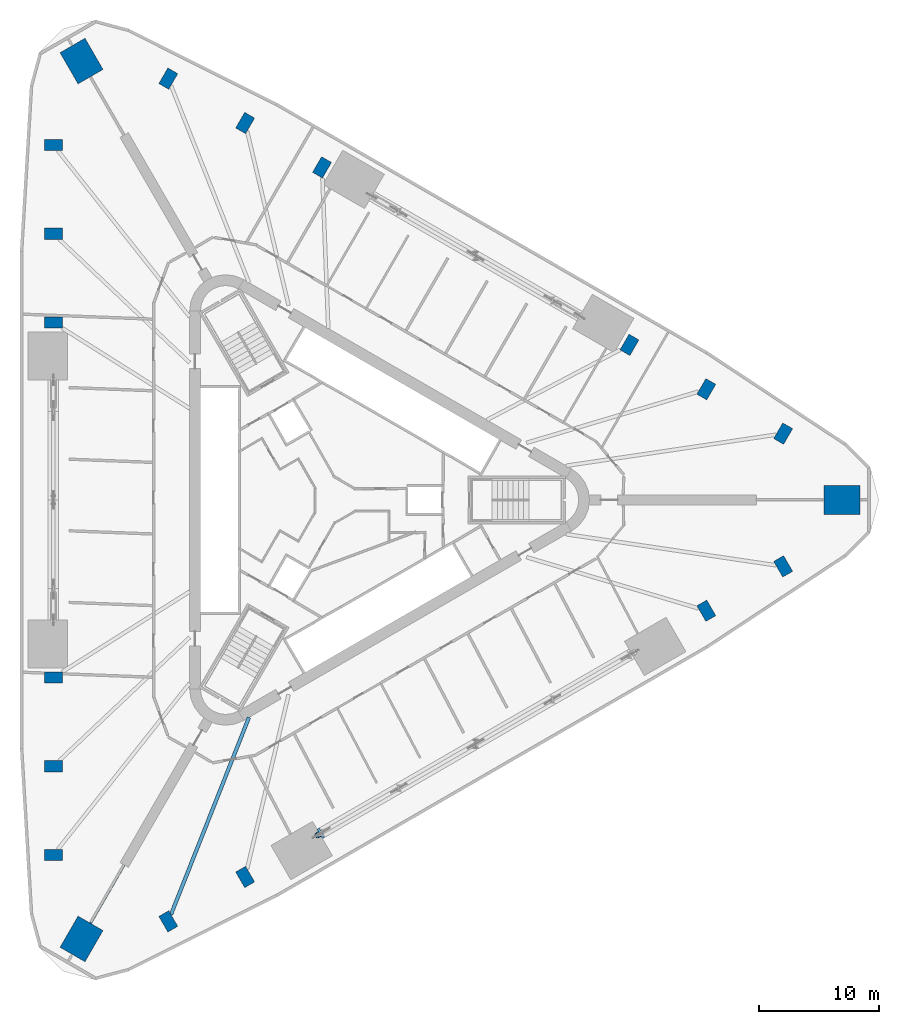
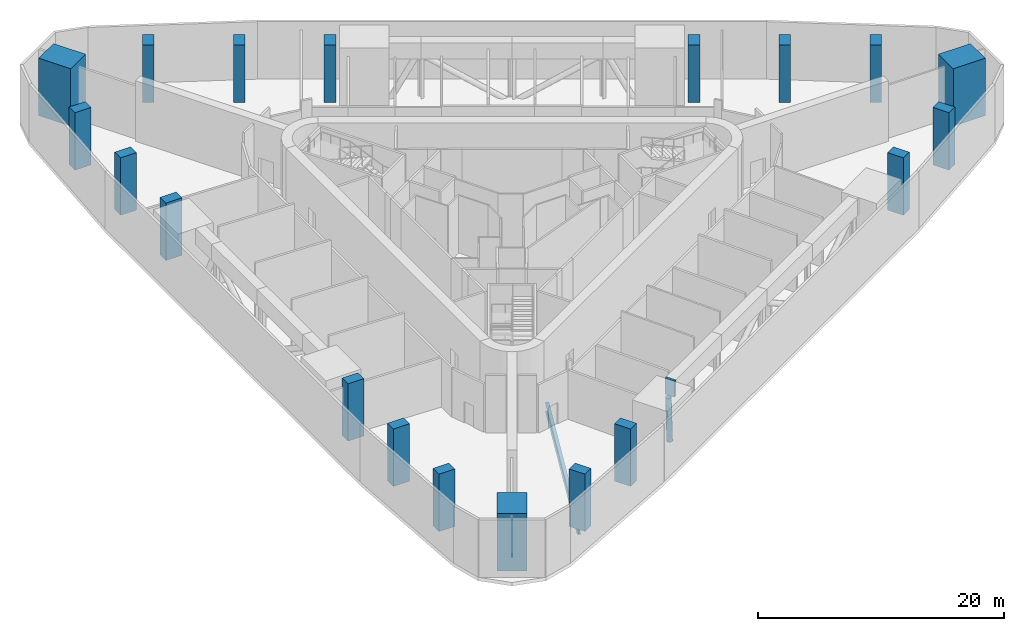
# One storey, part 1 of 14: 19 columns, 3 beams, 1 member.
"""IFC4 building model written with IfcOpenShell, lengths in metres."""

from ifc_helpers import new_model, si_unit, direction, frame, origin, origin_2d, place, context, subcontext, project, spatial, rectangle, hollow_circle, i_section, extrude, material, material_profile, profile_set, type_object, element, save


model = new_model("IFC4")

# Units and contexts
model_context = context("Model", 3, precision=1e-05, world=origin(), true_north=direction((0.0, 1.0)))
body_context = subcontext(model_context, "Body", "Model", "MODEL_VIEW")
ifc_project = project(units=[si_unit("LENGTHUNIT", "METRE"), si_unit("AREAUNIT", "SQUARE_METRE"), si_unit("VOLUMEUNIT", "CUBIC_METRE"), si_unit("PLANEANGLEUNIT", "RADIAN"), si_unit("MASSUNIT", "GRAM", prefix="KILO")], contexts=[model_context])

# Site, building, storey
site_placement = place(None, origin())
site = spatial("IfcSite", under=ifc_project, at=site_placement, CompositionType="ELEMENT")
building_placement = place(site_placement, origin())
building = spatial("IfcBuilding", under=site, at=building_placement, Name="Tanit Gate Tower", CompositionType="ELEMENT")
storey_placement = place(building_placement, frame((0.0, 0.0, 39.5)))
storey = spatial("IfcBuildingStorey", under=building, at=storey_placement, Name="L06", CompositionType="ELEMENT", Elevation=39.5)

# Columns
ifc_material_1 = material(Name="Concrete C80/95", Category="concrete")
ifc_material_profile_1 = material_profile(ifc_material_1, rectangle(XDim=3.0, YDim=2.39990234375, at=origin_2d()), Name="RC 3000x2400")
ifc_profile_set_1 = profile_set([ifc_material_profile_1], Name="Concrete C80/95")
column_type_1 = type_object("IfcColumnType", Name="MEGA COLUMN 3000x2400 C80/95", PredefinedType="COLUMN", material=ifc_profile_set_1)
for number, where, z_axis, x_axis, name in (
    (1, (42.211181640625, 0.0, 0.0), (0.0, 0.0, 1.0), (1.0, 0.0, 0.0), "MEGA COLUMN"),
    (2, (-21.105712890625, 36.555908203125, 0.0), (0.0, 0.0, 1.0), (-0.5, 0.866025403784, 0.0), "MEGA COLUMN"),
    (3, (-21.105712890625, -36.555908203125, 0.0), (0.0, 0.0, 1.0), (-0.5, -0.866025403784, 0.0), "MEGA COLUMN"),
):
    element("IfcColumn", number, at=place(storey_placement, frame(where, z_axis=z_axis, x_axis=x_axis)), inside=storey, type_object=column_type_1, Name=name, PredefinedType="COLUMN", context=body_context, shape_type="SweptSolid", body=[
        extrude(rectangle(XDim=3.0, YDim=2.39990234375, at=origin_2d()), origin(), (0.0, 0.0, 1.0), 5.699951171875),
    ])
ifc_material_2 = material(Name="Concrete C70/85", Category="concrete")
ifc_material_profile_2 = material_profile(ifc_material_2, rectangle(XDim=1.5, YDim=0.949951171875, at=origin_2d()), Name="RC 1500x950")
ifc_profile_set_2 = profile_set([ifc_material_profile_2], Name="Concrete C70/85")
column_type_2 = type_object("IfcColumnType", Name="PERIMETER COLUMN 1500x950 C70/85", PredefinedType="COLUMN", material=ifc_profile_set_2)
for number, where, z_axis, x_axis, name in (
    (4, (-23.453369140625, 29.56591796875, 0.0), (0.0, 0.0, 1.0), (-1.0, 0.0, 0.0), "PERIMETER COLUMN"),
    (5, (-23.453369140625, 22.17431640625, 0.0), (0.0, 0.0, 1.0), (-1.0, 0.0, 0.0), "PERIMETER COLUMN"),
    (6, (-23.453369140625, 14.782958984375, 0.0), (0.0, 0.0, 1.0), (-1.0, 0.0, 0.0), "PERIMETER COLUMN"),
    (7, (-23.453369140625, -14.782958984375, 0.0), (0.0, 0.0, 1.0), (-1.0, 0.0, 0.0), "PERIMETER COLUMN"),
    (8, (-23.453369140625, -22.17431640625, 0.0), (0.0, 0.0, 1.0), (-1.0, 0.0, 0.0), "PERIMETER COLUMN"),
    (9, (-23.453369140625, -29.56591796875, 0.0), (0.0, 0.0, 1.0), (-1.0, 0.0, 0.0), "PERIMETER COLUMN"),
    (10, (37.331298828125, 5.5283203125, 0.0), (0.0, 0.0, 1.0), (0.5, 0.866025403784, 0.0), "PERIMETER COLUMN"),
    (11, (30.930419921875, 9.22412109375, 0.0), (0.0, 0.0, 1.0), (0.5, 0.866025403784, 0.0), "PERIMETER COLUMN"),
    (12, (24.529052734375, 12.919921875, 0.0), (0.0, 0.0, 1.0), (0.5, 0.866025403784, 0.0), "PERIMETER COLUMN"),
    (13, (-1.07568359375, 27.70263671875, 0.0), (0.0, 0.0, 1.0), (0.5, 0.866025403784, 0.0), "PERIMETER COLUMN"),
    (14, (-7.476806640625, 31.3984375, 0.0), (0.0, 0.0, 1.0), (0.5, 0.866025403784, 0.0), "PERIMETER COLUMN"),
    (15, (-13.8779296875, 35.093994140625, 0.0), (0.0, 0.0, 1.0), (0.5, 0.866025403784, 0.0), "PERIMETER COLUMN"),
    (16, (-13.8779296875, -35.093994140625, 0.0), (0.0, 0.0, 1.0), (0.5, -0.866025403784, 0.0), "PERIMETER COLUMN"),
    (17, (-7.476806640625, -31.3984375, 0.0), (0.0, 0.0, 1.0), (0.5, -0.866025403784, 0.0), "PERIMETER COLUMN"),
    (18, (30.930419921875, -9.22412109375, 0.0), (0.0, 0.0, 1.0), (0.5, -0.866025403784, 0.0), "PERIMETER COLUMN"),
    (19, (37.331298828125, -5.5283203125, 0.0), (0.0, 0.0, 1.0), (0.5, -0.866025403784, 0.0), "PERIMETER COLUMN"),
):
    element("IfcColumn", number, at=place(storey_placement, frame(where, z_axis=z_axis, x_axis=x_axis)), inside=storey, type_object=column_type_2, Name=name, PredefinedType="COLUMN", context=body_context, shape_type="SweptSolid", body=[
        extrude(rectangle(XDim=1.5, YDim=0.949951171875, at=origin_2d()), origin(), (0.0, 0.0, 1.0), 5.699951171875),
    ])

# Beams
ifc_material_3 = material(Name="Steel S355", Category="steel")
ifc_material_profile_3 = material_profile(ifc_material_3, i_section(OverallWidth=0.300048828125, OverallDepth=0.889892578125, WebThickness=0.01611328125, FlangeThickness=0.030029296875, FilletRadius=0.030029296875, at=origin_2d()), Name="HEA 900")
ifc_profile_set_3 = profile_set([ifc_material_profile_3], Name="Steel S355")
beam_type_1 = type_object("IfcBeamType", Name="RADIAL GIRDER HEA 900 S355", PredefinedType="BEAM", material=ifc_profile_set_3)
beam_1_placement = place(storey_placement, frame((-13.655029296875, -34.5302734375, -0.794921875), z_axis=(0.36773841244, 0.929929276889, 0.0), x_axis=(-0.929929276889, 0.36773841244, 0.0)))
element("IfcBeam", 20, at=beam_1_placement, inside=storey, type_object=beam_type_1, Name="RADIAL GIRDER", PredefinedType="BEAM", context=body_context, shape_type="SweptSolid", body=[
    extrude(i_section(OverallWidth=0.300048828125, OverallDepth=0.889892578125, WebThickness=0.01611328125, FlangeThickness=0.030029296875, FilletRadius=0.030029296875, at=origin_2d()), origin(), (0.0, 0.0, 1.0), 17.658935546875),
])
ifc_material_4 = material(Name="Steel S355", Category="steel")
ifc_material_profile_4 = material_profile(ifc_material_4, i_section(OverallWidth=0.179931640625, OverallDepth=0.39990234375, WebThickness=0.008544921875, FlangeThickness=0.013427734375, FilletRadius=0.02099609375, at=origin_2d()), Name="IPE 400")
ifc_profile_set_4 = profile_set([ifc_material_profile_4], Name="Steel S355")
beam_type_2 = type_object("IfcBeamType", Name="RADIAL GIRDER IPE 400 S355", PredefinedType="BEAM", material=ifc_profile_set_4)
beam_2_placement = place(storey_placement, frame((-20.355712890625, -35.257080078125, -0.550048828125), z_axis=(0.500016430238, 0.866015917575, 0.0), x_axis=(-0.866015917575, 0.500016430238, 0.0)))
element("IfcBeam", 21, at=beam_2_placement, inside=storey, type_object=beam_type_2, Name="RADIAL GIRDER", PredefinedType="BEAM", context=body_context, shape_type="SweptSolid", body=[
    extrude(i_section(OverallWidth=0.179931640625, OverallDepth=0.39990234375, WebThickness=0.008544921875, FlangeThickness=0.013427734375, FilletRadius=0.02099609375, at=origin_2d()), origin(), (0.0, 0.0, 1.0), 5.607177734375),
])
ifc_material_5 = material(Name="Concrete C60/75", Category="concrete")
ifc_material_profile_5 = material_profile(ifc_material_5, rectangle(XDim=0.89990234375, YDim=1.60009765625, at=origin_2d()), Name="RC 900x1600")
ifc_profile_set_5 = profile_set([ifc_material_profile_5], Name="Concrete C60/75")
beam_type_3 = type_object("IfcBeamType", Name="TRANSFER GIRDER 900x1600 C60/75", PredefinedType="USERDEFINED", material=ifc_profile_set_5)
beam_3_placement = place(storey_placement, frame((-1.263671875, -27.811279296875, 4.89990234375), z_axis=(0.865810949009, 0.500371262739, 0.0), x_axis=(-0.500371262739, 0.865810949009, 0.0)))
element("IfcBeam", 22, at=beam_3_placement, inside=storey, type_object=beam_type_3, Name="TRANSFER TRUSS TOP CHORD", ObjectType="GIRDER", PredefinedType="USERDEFINED", context=body_context, shape_type="SweptSolid", body=[
    extrude(rectangle(XDim=0.89990234375, YDim=1.60009765625, at=origin_2d()), origin(), (0.0, 0.0, 1.0), 0.217041015625),
])

# Member
ifc_material_6 = material(Name="Steel S460", Category="steel")
ifc_material_profile_6 = material_profile(ifc_material_6, hollow_circle(Radius=0.25390625, WallThickness=0.02490234375, at=origin_2d()), Name="CHS 508x25")
ifc_profile_set_6 = profile_set([ifc_material_profile_6], Name="Steel S460")
member_type = type_object("IfcMemberType", Name="TRANSFER TRUSS DIAGONAL CHS 508x25 S460", PredefinedType="BRACE", material=ifc_profile_set_6)
member_placement = place(storey_placement, frame((-1.263671875, -27.811279296875, -0.35009765625), z_axis=(-0.038255357524, -0.022087262295, 0.999023863812), x_axis=(0.500008851346, -0.866020293397, 0.0)))
element("IfcMember", 23, at=member_placement, inside=storey, type_object=member_type, Name="TRANSFER TRUSS DIAGONAL", PredefinedType="BRACE", context=body_context, shape_type="SweptSolid", body=[
    extrude(hollow_circle(Radius=0.25390625, WallThickness=0.02490234375, at=origin_2d()), origin(), (0.0, 0.0, 1.0), 4.45458984375),
])

save(model, "model.ifc")
